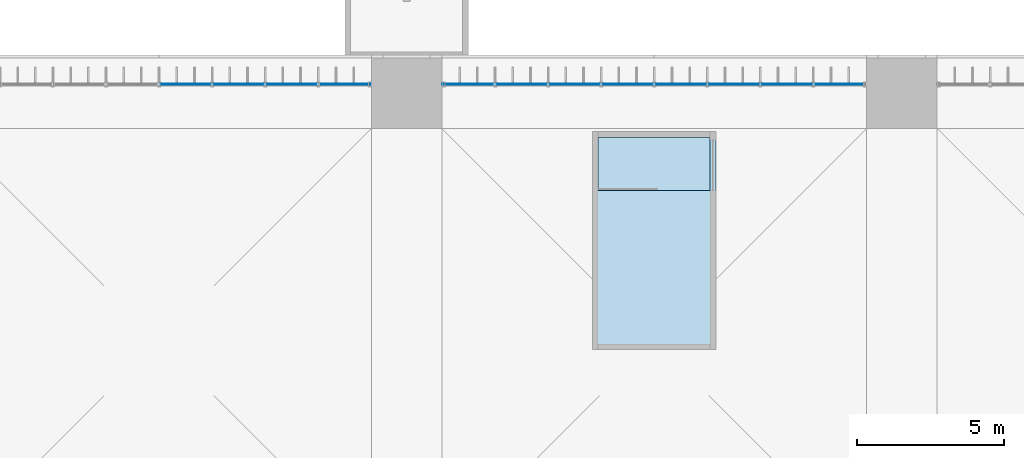
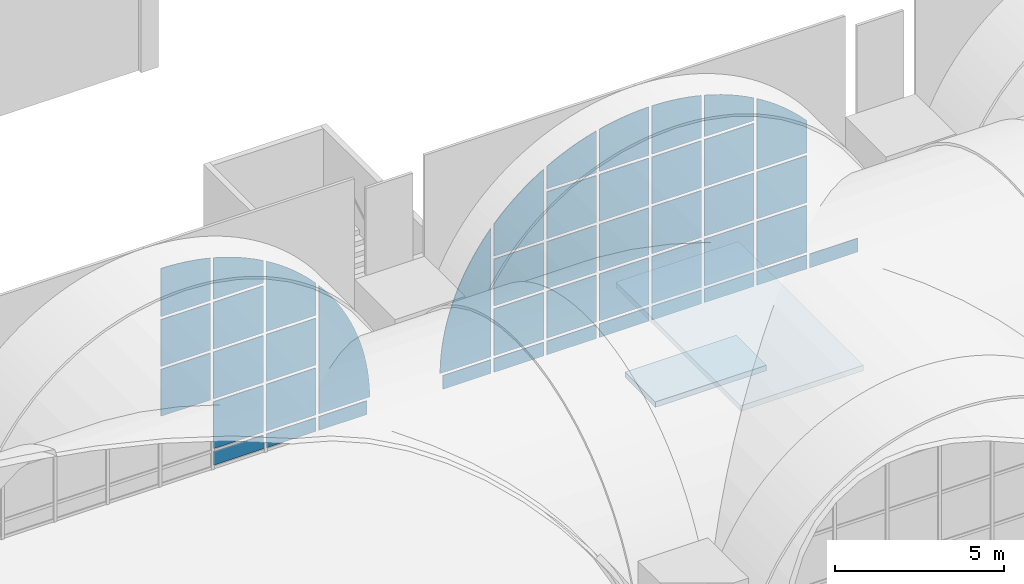
# One storey, part 87 of 169: 45 plates, 2 slabs, 2 elements without a shape of their own.
"""IFC4 building model written with IfcOpenShell, lengths in metres."""

from ifc_helpers import new_model, si_unit, direction, frame, origin, place, context, subcontext, project, spatial, polyline, outline, extrude, material, layer, layer_set, type_object, element, aggregate, save


model = new_model("IFC4")

# Units and contexts
model_context = context("Model", 3, precision=1e-05, world=origin(), true_north=direction((0.0, 1.0)))
body_context = subcontext(model_context, "Body", "Model", "MODEL_VIEW")
ifc_project = project(units=[si_unit("LENGTHUNIT", "METRE"), si_unit("AREAUNIT", "SQUARE_METRE"), si_unit("VOLUMEUNIT", "CUBIC_METRE"), si_unit("PLANEANGLEUNIT", "RADIAN"), si_unit("MASSUNIT", "GRAM", prefix="KILO")], contexts=[model_context])

# Site, building, storey
site_placement = place(None, origin())
site = spatial("IfcSite", under=ifc_project, at=site_placement, CompositionType="ELEMENT")
building_placement = place(site_placement, origin())
building = spatial("IfcBuilding", under=site, at=building_placement, Name="Verrick Yard Athletic Hall", CompositionType="ELEMENT")
storey_placement = place(building_placement, frame((0.0, 0.0, 4.39990234375)))
storey = spatial("IfcBuildingStorey", under=building, at=storey_placement, Name="L01", CompositionType="ELEMENT", Elevation=4.39990234375)

# Slabs
ifc_material_1 = material(Name="Concrete 35 MPa", Category="concrete")
ifc_layer_1 = layer(ifc_material_1, 0.199951171875)
ifc_layer_set_1 = layer_set([ifc_layer_1], Name="Core floor slab 200")
slab_type_1 = type_object("IfcSlabType", Name="Core floor slab 200", PredefinedType="FLOOR", material=ifc_layer_set_1)
slab_1_placement = place(storey_placement, frame((0.0, 0.0, -0.199951171875)))
element("IfcSlab", 1, at=slab_1_placement, inside=storey, type_object=slab_type_1, Name="CORE-PS-N3-NL-L01", PredefinedType="FLOOR", context=body_context, shape_type="SweptSolid", body=[
    extrude(outline(polyline([(113.699951171875, 51.300048828125), (113.699951171875, 49.5), (117.5, 49.5), (117.5, 51.300048828125), (113.699951171875, 51.300048828125)])), origin(), (0.0, 0.0, 1.0), 0.199951171875),
])
ifc_layer_2 = layer(ifc_material_1, 0.199951171875)
ifc_layer_set_2 = layer_set([ifc_layer_2], Name="Core roof slab 200")
slab_type_2 = type_object("IfcSlabType", Name="Core roof slab 200", PredefinedType="ROOF", material=ifc_layer_set_2)
slab_2_placement = place(storey_placement, frame((0.0, 0.0, 3.0)))
element("IfcSlab", 2, at=slab_2_placement, inside=storey, type_object=slab_type_2, Name="CORE-PS-N3-COVER", PredefinedType="ROOF", context=body_context, shape_type="SweptSolid", body=[
    extrude(outline(polyline([(113.5, 44.10009765625), (117.699951171875, 44.10009765625), (117.699951171875, 51.5), (113.5, 51.5), (113.5, 44.10009765625)])), origin(), (0.0, 0.0, 1.0), 0.2001953125),
])

# Curtain wall, plates
ifc_material_2 = material(Name="Aluminium and glass curtain wall", Category="aluminium")
ifc_layer_3 = layer(ifc_material_2, 0.14990234375)
ifc_layer_set_3 = layer_set([ifc_layer_3], Name="Arcade glazing arch")
curtain_wall_type = type_object("IfcCurtainWallType", Name="Arcade glazing arch", PredefinedType="NOTDEFINED", material=ifc_layer_set_3)
curtain_wall_1_placement = place(storey_placement, origin())
curtain_wall_1 = element("IfcCurtainWall", 3, at=curtain_wall_1_placement, inside=storey, type_object=curtain_wall_type, Name="Arcade glazing N4", PredefinedType="NOTDEFINED")
ifc_material_3 = material(Name="Laminated glass 28 mm", Category="glass")
ifc_layer_4 = layer(ifc_material_3, 0.028076171875)
ifc_layer_set_4 = layer_set([ifc_layer_4], Name="Curtain wall glass panel")
plate_type = type_object("IfcPlateType", Name="Curtain wall glass panel", PredefinedType="CURTAIN_PANEL", material=ifc_layer_set_4)
plate_1_placement = place(storey_placement, frame((91.60009765625, 53.10009765625, 2.5009765625), z_axis=(0.0, 0.0, 1.0), x_axis=(1.0, 0.0, 0.0)))
plate_1 = element("IfcPlate", 4, at=plate_1_placement, type_object=plate_type, Name="Arcade glazing N4 panel 19", PredefinedType="CURTAIN_PANEL", context=body_context, shape_type="SweptSolid", body=[
    extrude(outline(polyline([(8.94921875, 0.0), (8.94921875, 1.6982421875), (7.250732421875, 1.6982421875), (7.250732421875, 0.0), (8.94921875, 0.0)])), frame((0.0, 0.01416015625, 0.0), z_axis=(0.0, -1.0, 0.0), x_axis=(1.0, 0.0, 0.0)), (0.0, 0.0, 1.0), 0.028076171875),
])
plate_2_placement = place(storey_placement, frame((91.60009765625, 53.10009765625, 4.30078125), z_axis=(0.0, 0.0, 1.0), x_axis=(1.0, 0.0, 0.0)))
plate_2 = element("IfcPlate", 5, at=plate_2_placement, type_object=plate_type, Name="Arcade glazing N4 panel 20", PredefinedType="CURTAIN_PANEL", context=body_context, shape_type="SweptSolid", body=[
    extrude(outline(polyline([(8.94921875, 0.0), (8.94921875, 1.698486328125), (7.250732421875, 1.698486328125), (7.250732421875, 0.0), (8.94921875, 0.0)])), frame((0.0, 0.01416015625, 0.0), z_axis=(0.0, -1.0, 0.0), x_axis=(1.0, 0.0, 0.0)), (0.0, 0.0, 1.0), 0.028076171875),
])
plate_3_placement = place(storey_placement, frame((91.60009765625, 53.10009765625, 6.100830078125), z_axis=(0.0, 0.0, 1.0), x_axis=(1.0, 0.0, 0.0)))
plate_3 = element("IfcPlate", 6, at=plate_3_placement, type_object=plate_type, Name="Arcade glazing N4 panel 21", PredefinedType="CURTAIN_PANEL", context=body_context, shape_type="SweptSolid", body=[
    extrude(outline(polyline([(8.94921875, 1.531982421875), (8.75830078125, 1.57861328125), (8.4501953125, 1.639892578125), (8.139892578125, 1.687744140625), (7.827392578125, 1.721923828125), (7.51416015625, 1.742431640625), (7.250732421875, 1.748046875), (7.250732421875, 0.0), (8.94921875, 0.0), (8.94921875, 1.531982421875)])), frame((0.0, 0.01416015625, 0.0), z_axis=(0.0, -1.0, 0.0), x_axis=(1.0, 0.0, 0.0)), (0.0, 0.0, 1.0), 0.028076171875),
])
plate_4_placement = place(storey_placement, frame((91.60009765625, 53.10009765625, 0.101806640625), z_axis=(0.0, 0.0, 1.0), x_axis=(1.0, 0.0, 0.0)))
plate_4 = element("IfcPlate", 7, at=plate_4_placement, type_object=plate_type, Name="Arcade glazing N4 panel 22", PredefinedType="CURTAIN_PANEL", context=body_context, shape_type="SweptSolid", body=[
    extrude(outline(polyline([(10.749267578125, 0.0), (10.749267578125, 0.49755859375), (9.05078125, 0.49755859375), (9.05078125, 0.0), (10.749267578125, 0.0)])), frame((0.0, 0.01416015625, 0.0), z_axis=(0.0, -1.0, 0.0), x_axis=(1.0, 0.0, 0.0)), (0.0, 0.0, 1.0), 0.028076171875),
])
plate_5_placement = place(storey_placement, frame((91.60009765625, 53.10009765625, 0.700927734375), z_axis=(0.0, 0.0, 1.0), x_axis=(1.0, 0.0, 0.0)))
plate_5 = element("IfcPlate", 8, at=plate_5_placement, type_object=plate_type, Name="Arcade glazing N4 panel 23", PredefinedType="CURTAIN_PANEL", context=body_context, shape_type="SweptSolid", body=[
    extrude(outline(polyline([(10.749267578125, 0.0), (10.749267578125, 1.698486328125), (9.05078125, 1.698486328125), (9.05078125, 0.0), (10.749267578125, 0.0)])), frame((0.0, 0.01416015625, 0.0), z_axis=(0.0, -1.0, 0.0), x_axis=(1.0, 0.0, 0.0)), (0.0, 0.0, 1.0), 0.028076171875),
])
plate_6_placement = place(storey_placement, frame((91.60009765625, 53.10009765625, 2.5009765625), z_axis=(0.0, 0.0, 1.0), x_axis=(1.0, 0.0, 0.0)))
plate_6 = element("IfcPlate", 9, at=plate_6_placement, type_object=plate_type, Name="Arcade glazing N4 panel 24", PredefinedType="CURTAIN_PANEL", context=body_context, shape_type="SweptSolid", body=[
    extrude(outline(polyline([(10.749267578125, 0.0), (10.749267578125, 1.6982421875), (9.05078125, 1.6982421875), (9.05078125, 0.0), (10.749267578125, 0.0)])), frame((0.0, 0.01416015625, 0.0), z_axis=(0.0, -1.0, 0.0), x_axis=(1.0, 0.0, 0.0)), (0.0, 0.0, 1.0), 0.028076171875),
])
plate_7_placement = place(storey_placement, frame((91.60009765625, 53.10009765625, 4.30078125), z_axis=(0.0, 0.0, 1.0), x_axis=(1.0, 0.0, 0.0)))
plate_7 = element("IfcPlate", 10, at=plate_7_placement, type_object=plate_type, Name="Arcade glazing N4 panel 25", PredefinedType="CURTAIN_PANEL", context=body_context, shape_type="SweptSolid", body=[
    extrude(outline(polyline([(10.749267578125, 0.0), (10.749267578125, 1.698486328125), (9.05078125, 1.698486328125), (9.05078125, 0.0), (10.749267578125, 0.0)])), frame((0.0, 0.01416015625, 0.0), z_axis=(0.0, -1.0, 0.0), x_axis=(1.0, 0.0, 0.0)), (0.0, 0.0, 1.0), 0.028076171875),
])
plate_8_placement = place(storey_placement, frame((91.60009765625, 53.10009765625, 6.100830078125), z_axis=(0.0, 0.0, 1.0), x_axis=(1.0, 0.0, 0.0)))
plate_8 = element("IfcPlate", 11, at=plate_8_placement, type_object=plate_type, Name="Arcade glazing N4 panel 26", PredefinedType="CURTAIN_PANEL", context=body_context, shape_type="SweptSolid", body=[
    extrude(outline(polyline([(10.749267578125, 0.8125), (10.524658203125, 0.935791015625), (10.242919921875, 1.07470703125), (9.955322265625, 1.201171875), (9.66259765625, 1.315185546875), (9.364990234375, 1.416015625), (9.0634765625, 1.50390625), (9.05078125, 1.507080078125), (9.05078125, 0.0), (10.749267578125, 0.0), (10.749267578125, 0.8125)])), frame((0.0, 0.01416015625, 0.0), z_axis=(0.0, -1.0, 0.0), x_axis=(1.0, 0.0, 0.0)), (0.0, 0.0, 1.0), 0.028076171875),
])
plate_9_placement = place(storey_placement, frame((91.60009765625, 53.10009765625, 0.101806640625), z_axis=(0.0, 0.0, 1.0), x_axis=(1.0, 0.0, 0.0)))
plate_9 = element("IfcPlate", 12, at=plate_9_placement, type_object=plate_type, Name="Arcade glazing N4 panel 27", PredefinedType="CURTAIN_PANEL", context=body_context, shape_type="SweptSolid", body=[
    extrude(outline(polyline([(12.54931640625, 0.0), (12.54931640625, 0.49755859375), (10.850830078125, 0.49755859375), (10.850830078125, 0.0), (12.54931640625, 0.0)])), frame((0.0, 0.01416015625, 0.0), z_axis=(0.0, -1.0, 0.0), x_axis=(1.0, 0.0, 0.0)), (0.0, 0.0, 1.0), 0.028076171875),
])
plate_10_placement = place(storey_placement, frame((91.60009765625, 53.10009765625, 0.700927734375), z_axis=(0.0, 0.0, 1.0), x_axis=(1.0, 0.0, 0.0)))
plate_10 = element("IfcPlate", 13, at=plate_10_placement, type_object=plate_type, Name="Arcade glazing N4 panel 28", PredefinedType="CURTAIN_PANEL", context=body_context, shape_type="SweptSolid", body=[
    extrude(outline(polyline([(12.54931640625, 0.0), (12.54931640625, 1.698486328125), (10.850830078125, 1.698486328125), (10.850830078125, 0.0), (12.54931640625, 0.0)])), frame((0.0, 0.01416015625, 0.0), z_axis=(0.0, -1.0, 0.0), x_axis=(1.0, 0.0, 0.0)), (0.0, 0.0, 1.0), 0.028076171875),
])
plate_11_placement = place(storey_placement, frame((91.60009765625, 53.10009765625, 2.5009765625), z_axis=(0.0, 0.0, 1.0), x_axis=(1.0, 0.0, 0.0)))
plate_11 = element("IfcPlate", 14, at=plate_11_placement, type_object=plate_type, Name="Arcade glazing N4 panel 29", PredefinedType="CURTAIN_PANEL", context=body_context, shape_type="SweptSolid", body=[
    extrude(outline(polyline([(12.54931640625, 0.0), (12.54931640625, 1.6982421875), (10.850830078125, 1.6982421875), (10.850830078125, 0.0), (12.54931640625, 0.0)])), frame((0.0, 0.01416015625, 0.0), z_axis=(0.0, -1.0, 0.0), x_axis=(1.0, 0.0, 0.0)), (0.0, 0.0, 1.0), 0.028076171875),
])
plate_12_placement = place(storey_placement, frame((91.60009765625, 53.10009765625, 4.30078125), z_axis=(0.0, 0.0, 1.0), x_axis=(1.0, 0.0, 0.0)))
plate_12 = element("IfcPlate", 15, at=plate_12_placement, type_object=plate_type, Name="Arcade glazing N4 panel 30", PredefinedType="CURTAIN_PANEL", context=body_context, shape_type="SweptSolid", body=[
    extrude(outline(polyline([(12.54931640625, 1.1669921875), (12.50830078125, 1.213623046875), (12.291259765625, 1.4404296875), (12.064208984375, 1.65771484375), (11.828125, 1.86474609375), (11.5830078125, 2.0615234375), (11.329833984375, 2.247314453125), (11.068603515625, 2.421630859375), (10.850830078125, 2.553955078125), (10.850830078125, 0.0), (12.54931640625, 0.0), (12.54931640625, 1.1669921875)])), frame((0.0, 0.01416015625, 0.0), z_axis=(0.0, -1.0, 0.0), x_axis=(1.0, 0.0, 0.0)), (0.0, 0.0, 1.0), 0.028076171875),
])
plate_13_placement = place(storey_placement, frame((91.60009765625, 53.10009765625, 0.101806640625), z_axis=(0.0, 0.0, 1.0), x_axis=(1.0, 0.0, 0.0)))
plate_13 = element("IfcPlate", 16, at=plate_13_placement, type_object=plate_type, Name="Arcade glazing N4 panel 31", PredefinedType="CURTAIN_PANEL", context=body_context, shape_type="SweptSolid", body=[
    extrude(outline(polyline([(14.2978515625, 0.0), (14.2978515625, 0.49755859375), (12.65087890625, 0.49755859375), (12.65087890625, 0.0), (14.2978515625, 0.0)])), frame((0.0, 0.01416015625, 0.0), z_axis=(0.0, -1.0, 0.0), x_axis=(1.0, 0.0, 0.0)), (0.0, 0.0, 1.0), 0.028076171875),
])
plate_14_placement = place(storey_placement, frame((91.60009765625, 53.10009765625, 0.700927734375), z_axis=(0.0, 0.0, 1.0), x_axis=(1.0, 0.0, 0.0)))
plate_14 = element("IfcPlate", 17, at=plate_14_placement, type_object=plate_type, Name="Arcade glazing N4 panel 32", PredefinedType="CURTAIN_PANEL", context=body_context, shape_type="SweptSolid", body=[
    extrude(outline(polyline([(14.39892578125, 0.0), (14.39306640625, 0.26318359375), (14.37255859375, 0.57666015625), (14.33837890625, 0.888916015625), (14.29052734375, 1.199462890625), (14.229248046875, 1.507568359375), (14.15478515625, 1.812744140625), (14.06689453125, 2.1142578125), (13.9658203125, 2.41162109375), (13.851806640625, 2.70458984375), (13.725341796875, 2.9921875), (13.58642578125, 3.273681640625), (13.435302734375, 3.549072265625), (13.2724609375, 3.81787109375), (13.097900390625, 4.078857421875), (12.912109375, 4.332275390625), (12.715576171875, 4.5771484375), (12.65087890625, 4.651123046875), (12.65087890625, 0.0), (14.39892578125, 0.0)])), frame((0.0, 0.01416015625, 0.0), z_axis=(0.0, -1.0, 0.0), x_axis=(1.0, 0.0, 0.0)), (0.0, 0.0, 1.0), 0.028076171875),
])
aggregate(curtain_wall_1, [plate_1, plate_2, plate_3, plate_4, plate_5, plate_6, plate_7, plate_8, plate_9, plate_10, plate_11, plate_12, plate_13, plate_14])

curtain_wall_2_placement = place(storey_placement, origin())
curtain_wall_2 = element("IfcCurtainWall", 18, at=curtain_wall_2_placement, inside=storey, type_object=curtain_wall_type, Name="Arcade glazing N5", PredefinedType="NOTDEFINED")
plate_15_placement = place(storey_placement, frame((108.39990234375, 53.10009765625, 0.101806640625), z_axis=(0.0, 0.0, 1.0), x_axis=(1.0, 0.0, 0.0)))
plate_15 = element("IfcPlate", 19, at=plate_15_placement, type_object=plate_type, Name="Arcade glazing N5 panel 1", PredefinedType="CURTAIN_PANEL", context=body_context, shape_type="SweptSolid", body=[
    extrude(outline(polyline([(1.749267578125, 0.0), (1.749267578125, 0.49755859375), (0.10205078125, 0.49755859375), (0.10205078125, 0.0), (1.749267578125, 0.0)])), frame((0.0, 0.01416015625, 0.0), z_axis=(0.0, -1.0, 0.0), x_axis=(1.0, 0.0, 0.0)), (0.0, 0.0, 1.0), 0.028076171875),
])
plate_16_placement = place(storey_placement, frame((108.39990234375, 53.10009765625, 0.700927734375), z_axis=(0.0, 0.0, 1.0), x_axis=(1.0, 0.0, 0.0)))
plate_16 = element("IfcPlate", 20, at=plate_16_placement, type_object=plate_type, Name="Arcade glazing N5 panel 2", PredefinedType="CURTAIN_PANEL", context=body_context, shape_type="SweptSolid", body=[
    extrude(outline(polyline([(1.749267578125, 4.651123046875), (1.6845703125, 4.5771484375), (1.48779296875, 4.332275390625), (1.302001953125, 4.078857421875), (1.127685546875, 3.81787109375), (0.964599609375, 3.549072265625), (0.8134765625, 3.273681640625), (0.674560546875, 2.9921875), (0.548095703125, 2.70458984375), (0.43408203125, 2.41162109375), (0.333251953125, 2.1142578125), (0.245361328125, 1.812744140625), (0.170654296875, 1.507568359375), (0.109375, 1.199462890625), (0.0615234375, 0.888916015625), (0.02734375, 0.57666015625), (0.0068359375, 0.26318359375), (0.001220703125, 0.0), (1.749267578125, 0.0), (1.749267578125, 4.651123046875)])), frame((0.0, 0.01416015625, 0.0), z_axis=(0.0, -1.0, 0.0), x_axis=(1.0, 0.0, 0.0)), (0.0, 0.0, 1.0), 0.028076171875),
])
plate_17_placement = place(storey_placement, frame((108.39990234375, 53.10009765625, 0.101806640625), z_axis=(0.0, 0.0, 1.0), x_axis=(1.0, 0.0, 0.0)))
plate_17 = element("IfcPlate", 21, at=plate_17_placement, type_object=plate_type, Name="Arcade glazing N5 panel 3", PredefinedType="CURTAIN_PANEL", context=body_context, shape_type="SweptSolid", body=[
    extrude(outline(polyline([(3.54931640625, 0.0), (3.54931640625, 0.49755859375), (1.850830078125, 0.49755859375), (1.850830078125, 0.0), (3.54931640625, 0.0)])), frame((0.0, 0.01416015625, 0.0), z_axis=(0.0, -1.0, 0.0), x_axis=(1.0, 0.0, 0.0)), (0.0, 0.0, 1.0), 0.028076171875),
])
plate_18_placement = place(storey_placement, frame((108.39990234375, 53.10009765625, 0.700927734375), z_axis=(0.0, 0.0, 1.0), x_axis=(1.0, 0.0, 0.0)))
plate_18 = element("IfcPlate", 22, at=plate_18_placement, type_object=plate_type, Name="Arcade glazing N5 panel 4", PredefinedType="CURTAIN_PANEL", context=body_context, shape_type="SweptSolid", body=[
    extrude(outline(polyline([(3.54931640625, 0.0), (3.54931640625, 1.698486328125), (1.850830078125, 1.698486328125), (1.850830078125, 0.0), (3.54931640625, 0.0)])), frame((0.0, 0.01416015625, 0.0), z_axis=(0.0, -1.0, 0.0), x_axis=(1.0, 0.0, 0.0)), (0.0, 0.0, 1.0), 0.028076171875),
])
plate_19_placement = place(storey_placement, frame((108.39990234375, 53.10009765625, 2.5009765625), z_axis=(0.0, 0.0, 1.0), x_axis=(1.0, 0.0, 0.0)))
plate_19 = element("IfcPlate", 23, at=plate_19_placement, type_object=plate_type, Name="Arcade glazing N5 panel 5", PredefinedType="CURTAIN_PANEL", context=body_context, shape_type="SweptSolid", body=[
    extrude(outline(polyline([(3.54931640625, 0.0), (3.54931640625, 1.6982421875), (1.850830078125, 1.6982421875), (1.850830078125, 0.0), (3.54931640625, 0.0)])), frame((0.0, 0.01416015625, 0.0), z_axis=(0.0, -1.0, 0.0), x_axis=(1.0, 0.0, 0.0)), (0.0, 0.0, 1.0), 0.028076171875),
])
plate_20_placement = place(storey_placement, frame((108.39990234375, 53.10009765625, 4.30078125), z_axis=(0.0, 0.0, 1.0), x_axis=(1.0, 0.0, 0.0)))
plate_20 = element("IfcPlate", 24, at=plate_20_placement, type_object=plate_type, Name="Arcade glazing N5 panel 6", PredefinedType="CURTAIN_PANEL", context=body_context, shape_type="SweptSolid", body=[
    extrude(outline(polyline([(3.54931640625, 2.553955078125), (3.331298828125, 2.421630859375), (3.0703125, 2.247314453125), (2.81689453125, 2.0615234375), (2.572021484375, 1.86474609375), (2.335693359375, 1.65771484375), (2.10888671875, 1.4404296875), (1.8916015625, 1.213623046875), (1.850830078125, 1.1669921875), (1.850830078125, 0.0), (3.54931640625, 0.0), (3.54931640625, 2.553955078125)])), frame((0.0, 0.01416015625, 0.0), z_axis=(0.0, -1.0, 0.0), x_axis=(1.0, 0.0, 0.0)), (0.0, 0.0, 1.0), 0.028076171875),
])
plate_21_placement = place(storey_placement, frame((108.39990234375, 53.10009765625, 0.101806640625), z_axis=(0.0, 0.0, 1.0), x_axis=(1.0, 0.0, 0.0)))
plate_21 = element("IfcPlate", 25, at=plate_21_placement, type_object=plate_type, Name="Arcade glazing N5 panel 7", PredefinedType="CURTAIN_PANEL", context=body_context, shape_type="SweptSolid", body=[
    extrude(outline(polyline([(5.34912109375, 0.0), (5.34912109375, 0.49755859375), (3.65087890625, 0.49755859375), (3.65087890625, 0.0), (5.34912109375, 0.0)])), frame((0.0, 0.01416015625, 0.0), z_axis=(0.0, -1.0, 0.0), x_axis=(1.0, 0.0, 0.0)), (0.0, 0.0, 1.0), 0.028076171875),
])
plate_22_placement = place(storey_placement, frame((108.39990234375, 53.10009765625, 0.700927734375), z_axis=(0.0, 0.0, 1.0), x_axis=(1.0, 0.0, 0.0)))
plate_22 = element("IfcPlate", 26, at=plate_22_placement, type_object=plate_type, Name="Arcade glazing N5 panel 8", PredefinedType="CURTAIN_PANEL", context=body_context, shape_type="SweptSolid", body=[
    extrude(outline(polyline([(5.34912109375, 0.0), (5.34912109375, 1.698486328125), (3.65087890625, 1.698486328125), (3.65087890625, 0.0), (5.34912109375, 0.0)])), frame((0.0, 0.01416015625, 0.0), z_axis=(0.0, -1.0, 0.0), x_axis=(1.0, 0.0, 0.0)), (0.0, 0.0, 1.0), 0.028076171875),
])
plate_23_placement = place(storey_placement, frame((108.39990234375, 53.10009765625, 2.5009765625), z_axis=(0.0, 0.0, 1.0), x_axis=(1.0, 0.0, 0.0)))
plate_23 = element("IfcPlate", 27, at=plate_23_placement, type_object=plate_type, Name="Arcade glazing N5 panel 9", PredefinedType="CURTAIN_PANEL", context=body_context, shape_type="SweptSolid", body=[
    extrude(outline(polyline([(5.34912109375, 0.0), (5.34912109375, 1.6982421875), (3.65087890625, 1.6982421875), (3.65087890625, 0.0), (5.34912109375, 0.0)])), frame((0.0, 0.01416015625, 0.0), z_axis=(0.0, -1.0, 0.0), x_axis=(1.0, 0.0, 0.0)), (0.0, 0.0, 1.0), 0.028076171875),
])
plate_24_placement = place(storey_placement, frame((108.39990234375, 53.10009765625, 4.30078125), z_axis=(0.0, 0.0, 1.0), x_axis=(1.0, 0.0, 0.0)))
plate_24 = element("IfcPlate", 28, at=plate_24_placement, type_object=plate_type, Name="Arcade glazing N5 panel 10", PredefinedType="CURTAIN_PANEL", context=body_context, shape_type="SweptSolid", body=[
    extrude(outline(polyline([(5.34912109375, 0.0), (5.34912109375, 1.698486328125), (3.65087890625, 1.698486328125), (3.65087890625, 0.0), (5.34912109375, 0.0)])), frame((0.0, 0.01416015625, 0.0), z_axis=(0.0, -1.0, 0.0), x_axis=(1.0, 0.0, 0.0)), (0.0, 0.0, 1.0), 0.028076171875),
])
plate_25_placement = place(storey_placement, frame((108.39990234375, 53.10009765625, 6.100830078125), z_axis=(0.0, 0.0, 1.0), x_axis=(1.0, 0.0, 0.0)))
plate_25 = element("IfcPlate", 29, at=plate_25_placement, type_object=plate_type, Name="Arcade glazing N5 panel 11", PredefinedType="CURTAIN_PANEL", context=body_context, shape_type="SweptSolid", body=[
    extrude(outline(polyline([(5.34912109375, 1.507080078125), (5.33642578125, 1.50390625), (5.034912109375, 1.416015625), (4.737548828125, 1.315185546875), (4.444580078125, 1.201171875), (4.156982421875, 1.07470703125), (3.87548828125, 0.935791015625), (3.65087890625, 0.8125), (3.65087890625, 0.0), (5.34912109375, 0.0), (5.34912109375, 1.507080078125)])), frame((0.0, 0.01416015625, 0.0), z_axis=(0.0, -1.0, 0.0), x_axis=(1.0, 0.0, 0.0)), (0.0, 0.0, 1.0), 0.028076171875),
])
plate_26_placement = place(storey_placement, frame((108.39990234375, 53.10009765625, 0.101806640625), z_axis=(0.0, 0.0, 1.0), x_axis=(1.0, 0.0, 0.0)))
plate_26 = element("IfcPlate", 30, at=plate_26_placement, type_object=plate_type, Name="Arcade glazing N5 panel 12", PredefinedType="CURTAIN_PANEL", context=body_context, shape_type="SweptSolid", body=[
    extrude(outline(polyline([(7.149169921875, 0.0), (7.149169921875, 0.49755859375), (5.45068359375, 0.49755859375), (5.45068359375, 0.0), (7.149169921875, 0.0)])), frame((0.0, 0.01416015625, 0.0), z_axis=(0.0, -1.0, 0.0), x_axis=(1.0, 0.0, 0.0)), (0.0, 0.0, 1.0), 0.028076171875),
])
plate_27_placement = place(storey_placement, frame((108.39990234375, 53.10009765625, 0.700927734375), z_axis=(0.0, 0.0, 1.0), x_axis=(1.0, 0.0, 0.0)))
plate_27 = element("IfcPlate", 31, at=plate_27_placement, type_object=plate_type, Name="Arcade glazing N5 panel 13", PredefinedType="CURTAIN_PANEL", context=body_context, shape_type="SweptSolid", body=[
    extrude(outline(polyline([(7.149169921875, 0.0), (7.149169921875, 1.698486328125), (5.45068359375, 1.698486328125), (5.45068359375, 0.0), (7.149169921875, 0.0)])), frame((0.0, 0.01416015625, 0.0), z_axis=(0.0, -1.0, 0.0), x_axis=(1.0, 0.0, 0.0)), (0.0, 0.0, 1.0), 0.028076171875),
])
plate_28_placement = place(storey_placement, frame((108.39990234375, 53.10009765625, 2.5009765625), z_axis=(0.0, 0.0, 1.0), x_axis=(1.0, 0.0, 0.0)))
plate_28 = element("IfcPlate", 32, at=plate_28_placement, type_object=plate_type, Name="Arcade glazing N5 panel 14", PredefinedType="CURTAIN_PANEL", context=body_context, shape_type="SweptSolid", body=[
    extrude(outline(polyline([(7.149169921875, 0.0), (7.149169921875, 1.6982421875), (5.45068359375, 1.6982421875), (5.45068359375, 0.0), (7.149169921875, 0.0)])), frame((0.0, 0.01416015625, 0.0), z_axis=(0.0, -1.0, 0.0), x_axis=(1.0, 0.0, 0.0)), (0.0, 0.0, 1.0), 0.028076171875),
])
plate_29_placement = place(storey_placement, frame((108.39990234375, 53.10009765625, 4.30078125), z_axis=(0.0, 0.0, 1.0), x_axis=(1.0, 0.0, 0.0)))
plate_29 = element("IfcPlate", 33, at=plate_29_placement, type_object=plate_type, Name="Arcade glazing N5 panel 15", PredefinedType="CURTAIN_PANEL", context=body_context, shape_type="SweptSolid", body=[
    extrude(outline(polyline([(7.149169921875, 0.0), (7.149169921875, 1.698486328125), (5.45068359375, 1.698486328125), (5.45068359375, 0.0), (7.149169921875, 0.0)])), frame((0.0, 0.01416015625, 0.0), z_axis=(0.0, -1.0, 0.0), x_axis=(1.0, 0.0, 0.0)), (0.0, 0.0, 1.0), 0.028076171875),
])
plate_30_placement = place(storey_placement, frame((108.39990234375, 53.10009765625, 6.100830078125), z_axis=(0.0, 0.0, 1.0), x_axis=(1.0, 0.0, 0.0)))
plate_30 = element("IfcPlate", 34, at=plate_30_placement, type_object=plate_type, Name="Arcade glazing N5 panel 16", PredefinedType="CURTAIN_PANEL", context=body_context, shape_type="SweptSolid", body=[
    extrude(outline(polyline([(7.149169921875, 1.748046875), (6.885986328125, 1.742431640625), (6.572509765625, 1.721923828125), (6.26025390625, 1.687744140625), (5.94970703125, 1.639892578125), (5.6416015625, 1.57861328125), (5.45068359375, 1.531982421875), (5.45068359375, 0.0), (7.149169921875, 0.0), (7.149169921875, 1.748046875)])), frame((0.0, 0.01416015625, 0.0), z_axis=(0.0, -1.0, 0.0), x_axis=(1.0, 0.0, 0.0)), (0.0, 0.0, 1.0), 0.028076171875),
])
plate_31_placement = place(storey_placement, frame((108.39990234375, 53.10009765625, 0.101806640625), z_axis=(0.0, 0.0, 1.0), x_axis=(1.0, 0.0, 0.0)))
plate_31 = element("IfcPlate", 35, at=plate_31_placement, type_object=plate_type, Name="Arcade glazing N5 panel 17", PredefinedType="CURTAIN_PANEL", context=body_context, shape_type="SweptSolid", body=[
    extrude(outline(polyline([(8.94921875, 0.0), (8.94921875, 0.49755859375), (7.250732421875, 0.49755859375), (7.250732421875, 0.0), (8.94921875, 0.0)])), frame((0.0, 0.01416015625, 0.0), z_axis=(0.0, -1.0, 0.0), x_axis=(1.0, 0.0, 0.0)), (0.0, 0.0, 1.0), 0.028076171875),
])
plate_32_placement = place(storey_placement, frame((108.39990234375, 53.10009765625, 0.700927734375), z_axis=(0.0, 0.0, 1.0), x_axis=(1.0, 0.0, 0.0)))
plate_32 = element("IfcPlate", 36, at=plate_32_placement, type_object=plate_type, Name="Arcade glazing N5 panel 18", PredefinedType="CURTAIN_PANEL", context=body_context, shape_type="SweptSolid", body=[
    extrude(outline(polyline([(8.94921875, 0.0), (8.94921875, 1.698486328125), (7.250732421875, 1.698486328125), (7.250732421875, 0.0), (8.94921875, 0.0)])), frame((0.0, 0.01416015625, 0.0), z_axis=(0.0, -1.0, 0.0), x_axis=(1.0, 0.0, 0.0)), (0.0, 0.0, 1.0), 0.028076171875),
])
plate_33_placement = place(storey_placement, frame((108.39990234375, 53.10009765625, 2.5009765625), z_axis=(0.0, 0.0, 1.0), x_axis=(1.0, 0.0, 0.0)))
plate_33 = element("IfcPlate", 37, at=plate_33_placement, type_object=plate_type, Name="Arcade glazing N5 panel 19", PredefinedType="CURTAIN_PANEL", context=body_context, shape_type="SweptSolid", body=[
    extrude(outline(polyline([(8.94921875, 0.0), (8.94921875, 1.6982421875), (7.250732421875, 1.6982421875), (7.250732421875, 0.0), (8.94921875, 0.0)])), frame((0.0, 0.01416015625, 0.0), z_axis=(0.0, -1.0, 0.0), x_axis=(1.0, 0.0, 0.0)), (0.0, 0.0, 1.0), 0.028076171875),
])
plate_34_placement = place(storey_placement, frame((108.39990234375, 53.10009765625, 4.30078125), z_axis=(0.0, 0.0, 1.0), x_axis=(1.0, 0.0, 0.0)))
plate_34 = element("IfcPlate", 38, at=plate_34_placement, type_object=plate_type, Name="Arcade glazing N5 panel 20", PredefinedType="CURTAIN_PANEL", context=body_context, shape_type="SweptSolid", body=[
    extrude(outline(polyline([(8.94921875, 0.0), (8.94921875, 1.698486328125), (7.250732421875, 1.698486328125), (7.250732421875, 0.0), (8.94921875, 0.0)])), frame((0.0, 0.01416015625, 0.0), z_axis=(0.0, -1.0, 0.0), x_axis=(1.0, 0.0, 0.0)), (0.0, 0.0, 1.0), 0.028076171875),
])
plate_35_placement = place(storey_placement, frame((108.39990234375, 53.10009765625, 6.100830078125), z_axis=(0.0, 0.0, 1.0), x_axis=(1.0, 0.0, 0.0)))
plate_35 = element("IfcPlate", 39, at=plate_35_placement, type_object=plate_type, Name="Arcade glazing N5 panel 21", PredefinedType="CURTAIN_PANEL", context=body_context, shape_type="SweptSolid", body=[
    extrude(outline(polyline([(8.94921875, 1.531982421875), (8.75830078125, 1.57861328125), (8.4501953125, 1.639892578125), (8.139892578125, 1.687744140625), (7.827392578125, 1.721923828125), (7.51416015625, 1.742431640625), (7.250732421875, 1.748046875), (7.250732421875, 0.0), (8.94921875, 0.0), (8.94921875, 1.531982421875)])), frame((0.0, 0.01416015625, 0.0), z_axis=(0.0, -1.0, 0.0), x_axis=(1.0, 0.0, 0.0)), (0.0, 0.0, 1.0), 0.028076171875),
])
plate_36_placement = place(storey_placement, frame((108.39990234375, 53.10009765625, 0.101806640625), z_axis=(0.0, 0.0, 1.0), x_axis=(1.0, 0.0, 0.0)))
plate_36 = element("IfcPlate", 40, at=plate_36_placement, type_object=plate_type, Name="Arcade glazing N5 panel 22", PredefinedType="CURTAIN_PANEL", context=body_context, shape_type="SweptSolid", body=[
    extrude(outline(polyline([(10.749267578125, 0.0), (10.749267578125, 0.49755859375), (9.05078125, 0.49755859375), (9.05078125, 0.0), (10.749267578125, 0.0)])), frame((0.0, 0.01416015625, 0.0), z_axis=(0.0, -1.0, 0.0), x_axis=(1.0, 0.0, 0.0)), (0.0, 0.0, 1.0), 0.028076171875),
])
plate_37_placement = place(storey_placement, frame((108.39990234375, 53.10009765625, 0.700927734375), z_axis=(0.0, 0.0, 1.0), x_axis=(1.0, 0.0, 0.0)))
plate_37 = element("IfcPlate", 41, at=plate_37_placement, type_object=plate_type, Name="Arcade glazing N5 panel 23", PredefinedType="CURTAIN_PANEL", context=body_context, shape_type="SweptSolid", body=[
    extrude(outline(polyline([(10.749267578125, 0.0), (10.749267578125, 1.698486328125), (9.05078125, 1.698486328125), (9.05078125, 0.0), (10.749267578125, 0.0)])), frame((0.0, 0.01416015625, 0.0), z_axis=(0.0, -1.0, 0.0), x_axis=(1.0, 0.0, 0.0)), (0.0, 0.0, 1.0), 0.028076171875),
])
plate_38_placement = place(storey_placement, frame((108.39990234375, 53.10009765625, 2.5009765625), z_axis=(0.0, 0.0, 1.0), x_axis=(1.0, 0.0, 0.0)))
plate_38 = element("IfcPlate", 42, at=plate_38_placement, type_object=plate_type, Name="Arcade glazing N5 panel 24", PredefinedType="CURTAIN_PANEL", context=body_context, shape_type="SweptSolid", body=[
    extrude(outline(polyline([(10.749267578125, 0.0), (10.749267578125, 1.6982421875), (9.05078125, 1.6982421875), (9.05078125, 0.0), (10.749267578125, 0.0)])), frame((0.0, 0.01416015625, 0.0), z_axis=(0.0, -1.0, 0.0), x_axis=(1.0, 0.0, 0.0)), (0.0, 0.0, 1.0), 0.028076171875),
])
plate_39_placement = place(storey_placement, frame((108.39990234375, 53.10009765625, 4.30078125), z_axis=(0.0, 0.0, 1.0), x_axis=(1.0, 0.0, 0.0)))
plate_39 = element("IfcPlate", 43, at=plate_39_placement, type_object=plate_type, Name="Arcade glazing N5 panel 25", PredefinedType="CURTAIN_PANEL", context=body_context, shape_type="SweptSolid", body=[
    extrude(outline(polyline([(10.749267578125, 0.0), (10.749267578125, 1.698486328125), (9.05078125, 1.698486328125), (9.05078125, 0.0), (10.749267578125, 0.0)])), frame((0.0, 0.01416015625, 0.0), z_axis=(0.0, -1.0, 0.0), x_axis=(1.0, 0.0, 0.0)), (0.0, 0.0, 1.0), 0.028076171875),
])
plate_40_placement = place(storey_placement, frame((108.39990234375, 53.10009765625, 6.100830078125), z_axis=(0.0, 0.0, 1.0), x_axis=(1.0, 0.0, 0.0)))
plate_40 = element("IfcPlate", 44, at=plate_40_placement, type_object=plate_type, Name="Arcade glazing N5 panel 26", PredefinedType="CURTAIN_PANEL", context=body_context, shape_type="SweptSolid", body=[
    extrude(outline(polyline([(10.749267578125, 0.8125), (10.524658203125, 0.935791015625), (10.242919921875, 1.07470703125), (9.955322265625, 1.201171875), (9.66259765625, 1.315185546875), (9.364990234375, 1.416015625), (9.0634765625, 1.50390625), (9.05078125, 1.507080078125), (9.05078125, 0.0), (10.749267578125, 0.0), (10.749267578125, 0.8125)])), frame((0.0, 0.01416015625, 0.0), z_axis=(0.0, -1.0, 0.0), x_axis=(1.0, 0.0, 0.0)), (0.0, 0.0, 1.0), 0.028076171875),
])
plate_41_placement = place(storey_placement, frame((108.39990234375, 53.10009765625, 0.101806640625), z_axis=(0.0, 0.0, 1.0), x_axis=(1.0, 0.0, 0.0)))
plate_41 = element("IfcPlate", 45, at=plate_41_placement, type_object=plate_type, Name="Arcade glazing N5 panel 27", PredefinedType="CURTAIN_PANEL", context=body_context, shape_type="SweptSolid", body=[
    extrude(outline(polyline([(12.54931640625, 0.0), (12.54931640625, 0.49755859375), (10.850830078125, 0.49755859375), (10.850830078125, 0.0), (12.54931640625, 0.0)])), frame((0.0, 0.01416015625, 0.0), z_axis=(0.0, -1.0, 0.0), x_axis=(1.0, 0.0, 0.0)), (0.0, 0.0, 1.0), 0.028076171875),
])
plate_42_placement = place(storey_placement, frame((108.39990234375, 53.10009765625, 0.700927734375), z_axis=(0.0, 0.0, 1.0), x_axis=(1.0, 0.0, 0.0)))
plate_42 = element("IfcPlate", 46, at=plate_42_placement, type_object=plate_type, Name="Arcade glazing N5 panel 28", PredefinedType="CURTAIN_PANEL", context=body_context, shape_type="SweptSolid", body=[
    extrude(outline(polyline([(12.54931640625, 0.0), (12.54931640625, 1.698486328125), (10.850830078125, 1.698486328125), (10.850830078125, 0.0), (12.54931640625, 0.0)])), frame((0.0, 0.01416015625, 0.0), z_axis=(0.0, -1.0, 0.0), x_axis=(1.0, 0.0, 0.0)), (0.0, 0.0, 1.0), 0.028076171875),
])
plate_43_placement = place(storey_placement, frame((108.39990234375, 53.10009765625, 2.5009765625), z_axis=(0.0, 0.0, 1.0), x_axis=(1.0, 0.0, 0.0)))
plate_43 = element("IfcPlate", 47, at=plate_43_placement, type_object=plate_type, Name="Arcade glazing N5 panel 29", PredefinedType="CURTAIN_PANEL", context=body_context, shape_type="SweptSolid", body=[
    extrude(outline(polyline([(12.54931640625, 0.0), (12.54931640625, 1.6982421875), (10.850830078125, 1.6982421875), (10.850830078125, 0.0), (12.54931640625, 0.0)])), frame((0.0, 0.01416015625, 0.0), z_axis=(0.0, -1.0, 0.0), x_axis=(1.0, 0.0, 0.0)), (0.0, 0.0, 1.0), 0.028076171875),
])
plate_44_placement = place(storey_placement, frame((108.39990234375, 53.10009765625, 4.30078125), z_axis=(0.0, 0.0, 1.0), x_axis=(1.0, 0.0, 0.0)))
plate_44 = element("IfcPlate", 48, at=plate_44_placement, type_object=plate_type, Name="Arcade glazing N5 panel 30", PredefinedType="CURTAIN_PANEL", context=body_context, shape_type="SweptSolid", body=[
    extrude(outline(polyline([(12.54931640625, 1.1669921875), (12.50830078125, 1.213623046875), (12.291259765625, 1.4404296875), (12.064208984375, 1.65771484375), (11.828125, 1.86474609375), (11.5830078125, 2.0615234375), (11.329833984375, 2.247314453125), (11.068603515625, 2.421630859375), (10.850830078125, 2.553955078125), (10.850830078125, 0.0), (12.54931640625, 0.0), (12.54931640625, 1.1669921875)])), frame((0.0, 0.01416015625, 0.0), z_axis=(0.0, -1.0, 0.0), x_axis=(1.0, 0.0, 0.0)), (0.0, 0.0, 1.0), 0.028076171875),
])
plate_45_placement = place(storey_placement, frame((108.39990234375, 53.10009765625, 0.101806640625), z_axis=(0.0, 0.0, 1.0), x_axis=(1.0, 0.0, 0.0)))
plate_45 = element("IfcPlate", 49, at=plate_45_placement, type_object=plate_type, Name="Arcade glazing N5 panel 31", PredefinedType="CURTAIN_PANEL", context=body_context, shape_type="SweptSolid", body=[
    extrude(outline(polyline([(14.2978515625, 0.0), (14.2978515625, 0.49755859375), (12.65087890625, 0.49755859375), (12.65087890625, 0.0), (14.2978515625, 0.0)])), frame((0.0, 0.01416015625, 0.0), z_axis=(0.0, -1.0, 0.0), x_axis=(1.0, 0.0, 0.0)), (0.0, 0.0, 1.0), 0.028076171875),
])
aggregate(curtain_wall_2, [plate_15, plate_16, plate_17, plate_18, plate_19, plate_20, plate_21, plate_22, plate_23, plate_24, plate_25, plate_26, plate_27, plate_28, plate_29, plate_30, plate_31, plate_32, plate_33, plate_34, plate_35, plate_36, plate_37, plate_38, plate_39, plate_40, plate_41, plate_42, plate_43, plate_44, plate_45])

save(model, "model.ifc")
